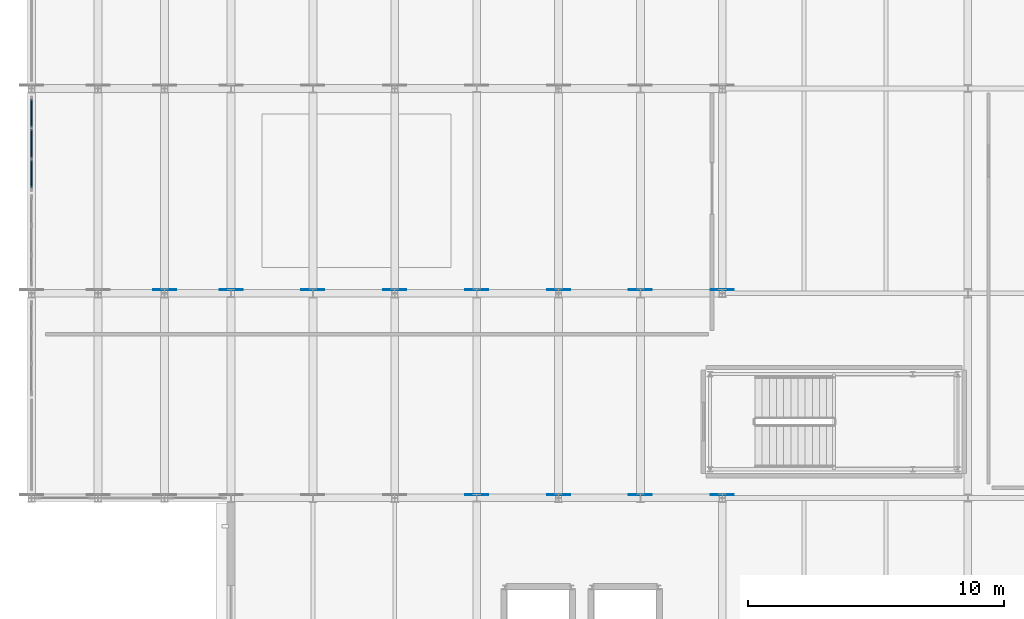
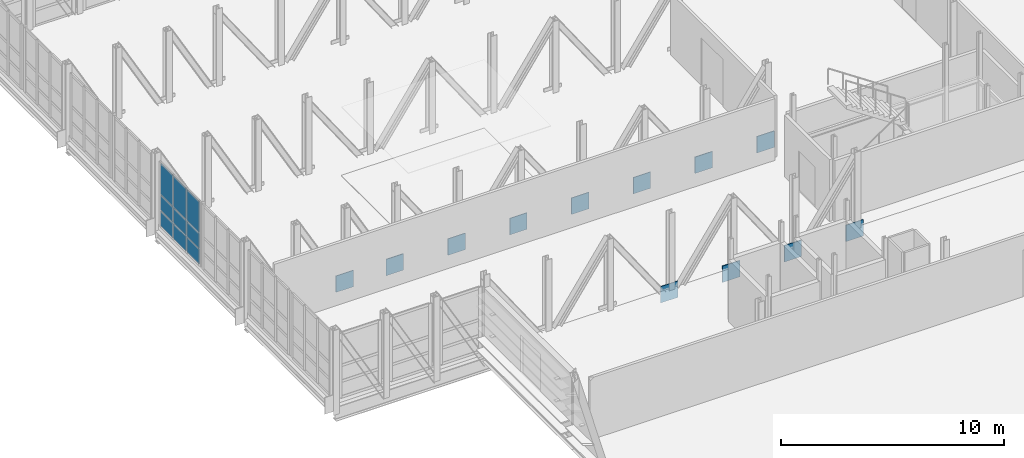
# One storey, part 46 of 73: 21 plates, 1 element without a shape of its own.
"""IFC4 building model written with IfcOpenShell, lengths in metres."""

from ifc_helpers import new_model, si_unit, direction, frame, origin, origin_2d, place, context, subcontext, project, spatial, rectangle, extrude, material, layer, layer_set, type_object, element, aggregate, save


model = new_model("IFC4")

# Units and contexts
model_context = context("Model", 3, precision=1e-05, world=origin(), true_north=direction((0.0, 1.0)))
body_context = subcontext(model_context, "Body", "Model", "MODEL_VIEW")
ifc_project = project(units=[si_unit("LENGTHUNIT", "METRE"), si_unit("AREAUNIT", "SQUARE_METRE"), si_unit("VOLUMEUNIT", "CUBIC_METRE"), si_unit("PLANEANGLEUNIT", "RADIAN"), si_unit("MASSUNIT", "GRAM", prefix="KILO")], contexts=[model_context])

# Site, building, storey
site_placement = place(None, origin())
site = spatial("IfcSite", under=ifc_project, at=site_placement, CompositionType="ELEMENT")
building_placement = place(site_placement, origin())
building = spatial("IfcBuilding", under=site, at=building_placement, Name="Alderhovde Museum", CompositionType="ELEMENT")
storey_placement = place(building_placement, frame((0.0, 0.0, 12.89990234375)))
storey = spatial("IfcBuildingStorey", under=building, at=storey_placement, Name="L03", CompositionType="ELEMENT", Elevation=12.89990234375)

# Curtain wall, plates
ifc_material_1 = material(Name="Triple-Glazed Bronze-Anodised Curtain Wall", Category="glass")
ifc_layer_1 = layer(ifc_material_1, 0.179931640625)
ifc_layer_set_1 = layer_set([ifc_layer_1], Name="Triple-Glazed Bronze-Anodised Curtain Wall")
curtain_wall_type = type_object("IfcCurtainWallType", Name="CW-UNIT-360x354", PredefinedType="USERDEFINED", material=ifc_layer_set_1)
curtain_wall_placement = place(storey_placement, origin())
curtain_wall = element("IfcCurtainWall", 1, at=curtain_wall_placement, inside=storey, type_object=curtain_wall_type, Name="L03 Unitised Curtain Wall 94", ObjectType="UNITISED CURTAIN WALL", PredefinedType="USERDEFINED")
ifc_material_2 = material(Name="Triple-Glazed Low-E Laminated Glass", Category="glass")
ifc_layer_2 = layer(ifc_material_2, 0.0439453125)
ifc_layer_set_2 = layer_set([ifc_layer_2], Name="Triple-Glazed Low-E Laminated Glass")
plate_type_1 = type_object("IfcPlateType", Name="CWP-GLAZ-44", PredefinedType="CURTAIN_PANEL", material=ifc_layer_set_2)
plate_1_placement = place(storey_placement, frame((1.800048828125, 92.666259765625, 0.06494140625), z_axis=(0.0, 0.0, 1.0), x_axis=(0.0, 1.0, 0.0)))
plate_1 = element("IfcPlate", 2, at=plate_1_placement, type_object=plate_type_1, Name="CW20 panel 1.1", PredefinedType="CURTAIN_PANEL", context=body_context, shape_type="SweptSolid", body=[
    extrude(rectangle(XDim=1.1025390625, YDim=0.0439453125, at=origin_2d()), origin(), (0.0, 0.0, 1.0), 0.802490234375),
])
plate_2_placement = place(storey_placement, frame((1.800048828125, 92.666259765625, 0.9326171875), z_axis=(0.0, 0.0, 1.0), x_axis=(0.0, 1.0, 0.0)))
plate_2 = element("IfcPlate", 3, at=plate_2_placement, type_object=plate_type_1, Name="CW20 panel 1.2", PredefinedType="CURTAIN_PANEL", context=body_context, shape_type="SweptSolid", body=[
    extrude(rectangle(XDim=1.1025390625, YDim=0.0439453125, at=origin_2d()), origin(), (0.0, 0.0, 1.0), 0.804931640625),
])
plate_3_placement = place(storey_placement, frame((1.800048828125, 92.666259765625, 1.802734375), z_axis=(0.0, 0.0, 1.0), x_axis=(0.0, 1.0, 0.0)))
plate_3 = element("IfcPlate", 4, at=plate_3_placement, type_object=plate_type_1, Name="CW20 panel 1.3", PredefinedType="CURTAIN_PANEL", context=body_context, shape_type="SweptSolid", body=[
    extrude(rectangle(XDim=1.1025390625, YDim=0.0439453125, at=origin_2d()), origin(), (0.0, 0.0, 1.0), 1.672607421875),
])
plate_4_placement = place(storey_placement, frame((1.800048828125, 93.85009765625, 0.06494140625), z_axis=(0.0, 0.0, 1.0), x_axis=(0.0, 1.0, 0.0)))
plate_4 = element("IfcPlate", 5, at=plate_4_placement, type_object=plate_type_1, Name="CW20 panel 2.1", PredefinedType="CURTAIN_PANEL", context=body_context, shape_type="SweptSolid", body=[
    extrude(rectangle(XDim=1.135009765625, YDim=0.0439453125, at=origin_2d()), origin(), (0.0, 0.0, 1.0), 0.802490234375),
])
plate_5_placement = place(storey_placement, frame((1.800048828125, 93.85009765625, 0.9326171875), z_axis=(0.0, 0.0, 1.0), x_axis=(0.0, 1.0, 0.0)))
plate_5 = element("IfcPlate", 6, at=plate_5_placement, type_object=plate_type_1, Name="CW20 panel 2.2", PredefinedType="CURTAIN_PANEL", context=body_context, shape_type="SweptSolid", body=[
    extrude(rectangle(XDim=1.135009765625, YDim=0.0439453125, at=origin_2d()), origin(), (0.0, 0.0, 1.0), 0.804931640625),
])
plate_6_placement = place(storey_placement, frame((1.800048828125, 93.85009765625, 1.802734375), z_axis=(0.0, 0.0, 1.0), x_axis=(0.0, 1.0, 0.0)))
plate_6 = element("IfcPlate", 7, at=plate_6_placement, type_object=plate_type_1, Name="CW20 panel 2.3", PredefinedType="CURTAIN_PANEL", context=body_context, shape_type="SweptSolid", body=[
    extrude(rectangle(XDim=1.135009765625, YDim=0.0439453125, at=origin_2d()), origin(), (0.0, 0.0, 1.0), 1.672607421875),
])
plate_7_placement = place(storey_placement, frame((1.800048828125, 95.03369140625, 0.06494140625), z_axis=(0.0, 0.0, 1.0), x_axis=(0.0, 1.0, 0.0)))
plate_7 = element("IfcPlate", 8, at=plate_7_placement, type_object=plate_type_1, Name="CW20 panel 3.1", PredefinedType="CURTAIN_PANEL", context=body_context, shape_type="SweptSolid", body=[
    extrude(rectangle(XDim=1.1025390625, YDim=0.0439453125, at=origin_2d()), origin(), (0.0, 0.0, 1.0), 0.802490234375),
])
plate_8_placement = place(storey_placement, frame((1.800048828125, 95.03369140625, 0.9326171875), z_axis=(0.0, 0.0, 1.0), x_axis=(0.0, 1.0, 0.0)))
plate_8 = element("IfcPlate", 9, at=plate_8_placement, type_object=plate_type_1, Name="CW20 panel 3.2", PredefinedType="CURTAIN_PANEL", context=body_context, shape_type="SweptSolid", body=[
    extrude(rectangle(XDim=1.1025390625, YDim=0.0439453125, at=origin_2d()), origin(), (0.0, 0.0, 1.0), 0.804931640625),
])
plate_9_placement = place(storey_placement, frame((1.800048828125, 95.03369140625, 1.802734375), z_axis=(0.0, 0.0, 1.0), x_axis=(0.0, 1.0, 0.0)))
plate_9 = element("IfcPlate", 10, at=plate_9_placement, type_object=plate_type_1, Name="CW20 panel 3.3", PredefinedType="CURTAIN_PANEL", context=body_context, shape_type="SweptSolid", body=[
    extrude(rectangle(XDim=1.1025390625, YDim=0.0439453125, at=origin_2d()), origin(), (0.0, 0.0, 1.0), 1.672607421875),
])
aggregate(curtain_wall, [plate_1, plate_2, plate_3, plate_4, plate_5, plate_6, plate_7, plate_8, plate_9])

# Plates
ifc_material_3 = material(Name="Steel S355J2", Category="steel")
ifc_layer_3 = layer(ifc_material_3, 0.035888671875)
ifc_layer_set_3 = layer_set([ifc_layer_3], Name="Steel S355J2")
plate_type_2 = type_object("IfcPlateType", Name="PLT-GUSSET-36", PredefinedType="USERDEFINED", material=ifc_layer_set_3)
for number, where, z_axis, x_axis, name in (
    (11, (19.199951171875, 80.1298828125, -0.719970703125), (0.0, 0.0, 1.0), (1.0, 0.0, 0.0), "Transfer Truss Gusset Plate Y=80 T1-7"),
    (12, (22.39990234375, 80.1298828125, -0.719970703125), (0.0, 0.0, 1.0), (1.0, 0.0, 0.0), "Transfer Truss Gusset Plate Y=80 T1-8"),
    (13, (25.60009765625, 80.1298828125, -0.719970703125), (0.0, 0.0, 1.0), (1.0, 0.0, 0.0), "Transfer Truss Gusset Plate Y=80 T1-9"),
    (14, (28.800048828125, 80.1298828125, -0.719970703125), (0.0, 0.0, 1.0), (1.0, 0.0, 0.0), "Transfer Truss Gusset Plate Y=80 T1-10"),
    (15, (7.0, 88.1298828125, -0.719970703125), (0.0, 0.0, 1.0), (1.0, 0.0, 0.0), "Transfer Truss Gusset Plate Y=88 T1-3"),
    (16, (9.60009765625, 88.1298828125, -0.719970703125), (0.0, 0.0, 1.0), (1.0, 0.0, 0.0), "Transfer Truss Gusset Plate Y=88 T1-4"),
    (17, (12.800048828125, 88.1298828125, -0.719970703125), (0.0, 0.0, 1.0), (1.0, 0.0, 0.0), "Transfer Truss Gusset Plate Y=88 T1-5"),
    (18, (16.0, 88.1298828125, -0.719970703125), (0.0, 0.0, 1.0), (1.0, 0.0, 0.0), "Transfer Truss Gusset Plate Y=88 T1-6"),
    (19, (19.199951171875, 88.1298828125, -0.719970703125), (0.0, 0.0, 1.0), (1.0, 0.0, 0.0), "Transfer Truss Gusset Plate Y=88 T1-7"),
    (20, (22.39990234375, 88.1298828125, -0.719970703125), (0.0, 0.0, 1.0), (1.0, 0.0, 0.0), "Transfer Truss Gusset Plate Y=88 T1-8"),
    (21, (25.60009765625, 88.1298828125, -0.719970703125), (0.0, 0.0, 1.0), (1.0, 0.0, 0.0), "Transfer Truss Gusset Plate Y=88 T1-9"),
    (22, (28.800048828125, 88.1298828125, -0.719970703125), (0.0, 0.0, 1.0), (1.0, 0.0, 0.0), "Transfer Truss Gusset Plate Y=88 T1-10"),
):
    element("IfcPlate", number, at=place(storey_placement, frame(where, z_axis=z_axis, x_axis=x_axis)), inside=storey, type_object=plate_type_2, Name=name, ObjectType="GUSSET PLATE", PredefinedType="USERDEFINED", context=body_context, shape_type="SweptSolid", body=[
        extrude(rectangle(XDim=0.89990234375, YDim=0.035888671875, at=origin_2d()), origin(), (0.0, 0.0, 1.0), 0.89990234375),
    ])

save(model, "model.ifc")
